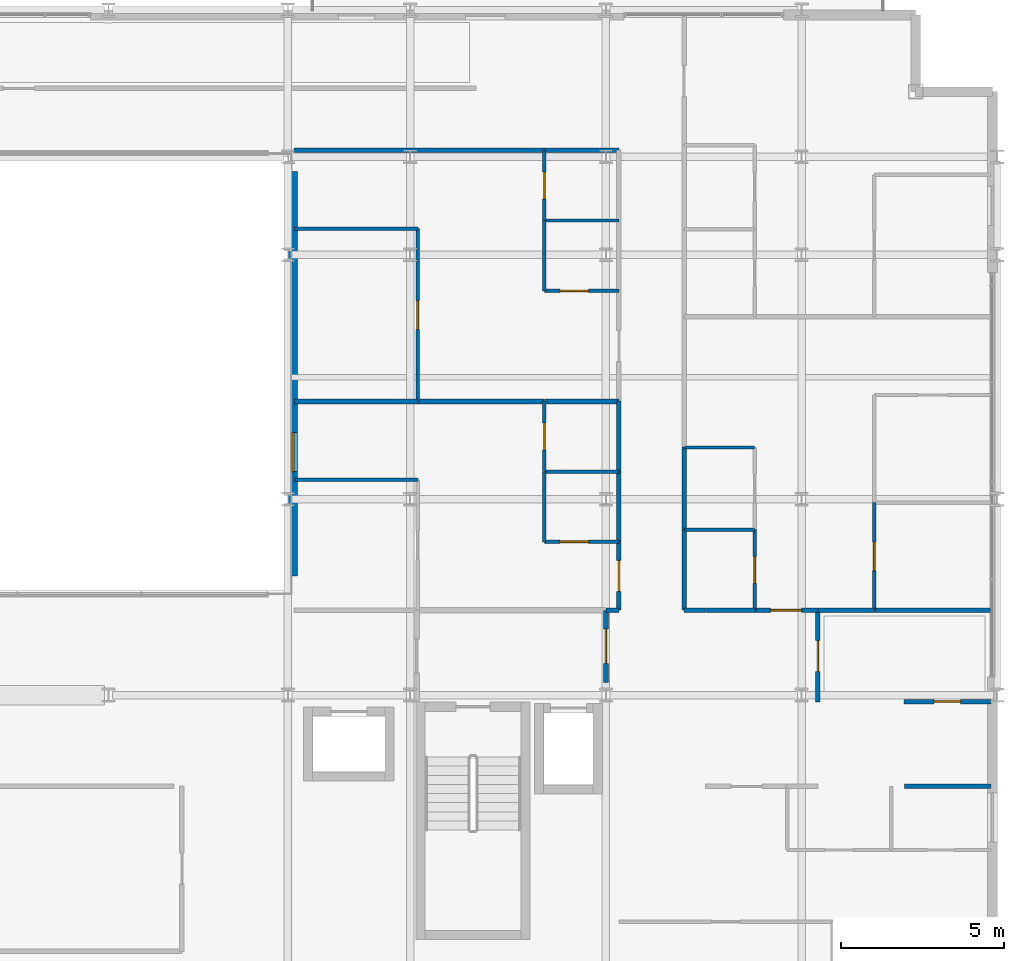
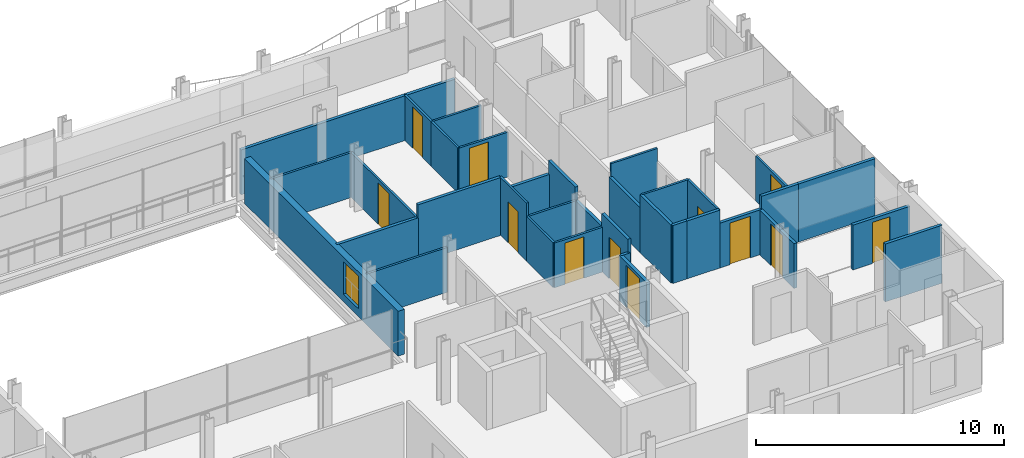
# One storey, part 35 of 40: 36 walls, 12 doors, 1 window, 13 openings.
"""IFC4 building model written with IfcOpenShell, lengths in metres."""

from ifc_helpers import new_model, si_unit, direction, frame, frame_2d, origin, place, context, subcontext, project, spatial, rectangle, extrude, material, layer, layer_set, type_object, element, fill, save


model = new_model("IFC4")

# Units and contexts
model_context = context("Model", 3, precision=1e-05, world=origin(), true_north=direction((0.0, 1.0)))
body_context = subcontext(model_context, "Body", "Model", "MODEL_VIEW")
ifc_project = project(units=[si_unit("LENGTHUNIT", "METRE"), si_unit("AREAUNIT", "SQUARE_METRE"), si_unit("VOLUMEUNIT", "CUBIC_METRE"), si_unit("PLANEANGLEUNIT", "RADIAN"), si_unit("MASSUNIT", "GRAM", prefix="KILO")], contexts=[model_context])

# Site, building, storey
site_placement = place(None, origin())
site = spatial("IfcSite", under=ifc_project, at=site_placement, CompositionType="ELEMENT")
building_placement = place(site_placement, origin())
building = spatial("IfcBuilding", under=site, at=building_placement, Name="Brevholm Reach", CompositionType="ELEMENT")
storey_placement = place(building_placement, frame((0.0, 0.0, 131.39990234375)))
storey = spatial("IfcBuildingStorey", under=building, at=storey_placement, Name="L39", CompositionType="ELEMENT", Elevation=131.39990234375)

# Wall, opening, window
ifc_material_1 = material(Name="Concrete C40/50", Category="concrete")
ifc_layer_1 = layer(ifc_material_1, 0.300048828125)
ifc_layer_set_1 = layer_set([ifc_layer_1], Name="Concrete C40/50")
wall_type_1 = type_object("IfcWallType", Name="WAL-EXT-300", PredefinedType="STANDARD", material=ifc_layer_set_1)
wall_1_placement = place(storey_placement, frame((38.39990234375, 13.64990234375, 0.0), z_axis=(0.0, 0.0, 1.0), x_axis=(0.0, 1.0, 0.0)))
wall_1 = element("IfcWall", 1, at=wall_1_placement, inside=storey, type_object=wall_type_1, Name="L39 Facade Wall WAL-L39-AT-E", PredefinedType="STANDARD", context=body_context, shape_type="SweptSolid", body=[
    extrude(rectangle(XDim=12.400146484375, YDim=0.300048828125, at=frame_2d((6.2001953125, 0.0))), origin(), (0.0, 0.0, 1.0), 2.204833984375),
])
opening_1_placement = place(wall_1_placement, frame((3.199951171875, 0.0, 0.385009765625)))
opening_1 = element("IfcOpeningElement", 2, at=opening_1_placement, cuts=wall_1, Name="Opening WN-08", PredefinedType="OPENING", context=body_context, shape_type="SweptSolid", body=[
    extrude(rectangle(XDim=1.199951171875, YDim=1.60009765625, at=frame_2d((0.60009765625, 0.800048828125))), frame((0.0, 0.159912109375, 0.0), z_axis=(0.0, -1.0, 0.0), x_axis=(1.0, 0.0, 0.0)), (0.0, 0.0, 1.0), 0.320068359375),
])
ifc_material_2 = material(Name="Dark Anodised Aluminium and Solar-Control IGU Glass", Category="aluminium")
window_type = type_object("IfcWindowType", Name="WIN-RES-1200", PartitioningType="SINGLE_PANEL", PredefinedType="WINDOW", material=ifc_material_2)
window_placement = place(opening_1_placement, origin())
window = element("IfcWindow", 3, at=window_placement, inside=storey, type_object=window_type, Name="L39 Window WIN-L39-AT-E1", OverallHeight=1.60009765625, OverallWidth=1.199951171875, PartitioningType="SINGLE_PANEL", PredefinedType="WINDOW", context=body_context, shape_type="SweptSolid", body=[
    extrude(rectangle(XDim=1.199951171875, YDim=1.60009765625, at=frame_2d((0.60009765625, 0.800048828125))), frame((0.0, 0.030029296875, 0.0), z_axis=(0.0, -1.0, 0.0), x_axis=(1.0, 0.0, 0.0)), (0.0, 0.0, 1.0), 0.06005859375),
])
fill(opening_1, window)

# Wall
ifc_material_3 = material(Name="Moisture-Resistant Acoustic Gypsum Stud Partition 100 mm", Category="gypsum")
ifc_layer_2 = layer(ifc_material_3, 0.10009765625)
ifc_layer_set_2 = layer_set([ifc_layer_2], Name="Moisture-Resistant Acoustic Gypsum Stud Partition 100 mm")
wall_type_2 = type_object("IfcWallType", Name="WAL-PRT-100", PredefinedType="PARTITIONING", material=ifc_layer_set_2)
wall_2_placement = place(storey_placement, frame((46.112060546875, 16.85009765625, 0.0), z_axis=(0.0, 0.0, 1.0), x_axis=(1.0, 0.0, 0.0)))
element("IfcWall", 4, at=wall_2_placement, inside=storey, type_object=wall_type_2, Name="L39 Internal Partition 124", PredefinedType="PARTITIONING", context=body_context, shape_type="SweptSolid", body=[
    extrude(rectangle(XDim=2.283935546875, YDim=0.10009765625, at=frame_2d((1.14208984375, 0.0))), origin(), (0.0, 0.0, 1.0), 2.204833984375),
])

# Wall, opening, door
wall_3_placement = place(storey_placement, frame((46.112060546875, 16.85009765625, 0.0), z_axis=(0.0, 0.0, 1.0), x_axis=(0.0, 1.0, 0.0)))
wall_3 = element("IfcWall", 5, at=wall_3_placement, inside=storey, type_object=wall_type_2, Name="L39 Internal Partition 125", PredefinedType="PARTITIONING", context=body_context, shape_type="SweptSolid", body=[
    extrude(rectangle(XDim=2.14990234375, YDim=0.10009765625, at=frame_2d((1.074951171875, 0.0))), origin(), (0.0, 0.0, 1.0), 2.85009765625),
])
opening_2_placement = place(wall_3_placement, frame((0.6650390625, 0.0, 0.0)))
opening_2 = element("IfcOpeningElement", 6, at=opening_2_placement, cuts=wall_3, Name="Opening ID-03", PredefinedType="OPENING", context=body_context, shape_type="SweptSolid", body=[
    extrude(rectangle(XDim=0.820068359375, YDim=2.02001953125, at=frame_2d((0.41015625, 1.010009765625))), frame((0.0, 0.06005859375, 0.0), z_axis=(0.0, -1.0, 0.0), x_axis=(1.0, 0.0, 0.0)), (0.0, 0.0, 1.0), 0.1201171875),
])
ifc_material_4 = material(Name="Moisture-Resistant Painted Timber Internal Bathroom Door", Category="wood")
door_type_1 = type_object("IfcDoorType", Name="DOR-BATH-820", OperationType="NOTDEFINED", PredefinedType="DOOR", material=ifc_material_4)
door_1_placement = place(opening_2_placement, origin())
door_1 = element("IfcDoor", 7, at=door_1_placement, inside=storey, type_object=door_type_1, Name="L39 Internal Door 048", OperationType="SINGLE_SWING_LEFT", OverallHeight=2.02001953125, OverallWidth=0.820068359375, PredefinedType="DOOR", context=body_context, shape_type="SweptSolid", body=[
    extrude(rectangle(XDim=0.820068359375, YDim=2.02001953125, at=frame_2d((0.41015625, 1.010009765625))), frame((0.0, 0.02490234375, 0.0), z_axis=(0.0, -1.0, 0.0), x_axis=(1.0, 0.0, 0.0)), (0.0, 0.0, 1.0), 0.050048828125),
])
fill(opening_2, door_1)

wall_4_placement = place(storey_placement, frame((46.112060546875, 14.699951171875, 0.0), z_axis=(0.0, 0.0, 1.0), x_axis=(1.0, 0.0, 0.0)))
wall_4 = element("IfcWall", 8, at=wall_4_placement, inside=storey, type_object=wall_type_2, Name="L39 Internal Partition 127", PredefinedType="PARTITIONING", context=body_context, shape_type="SweptSolid", body=[
    extrude(rectangle(XDim=2.283935546875, YDim=0.10009765625, at=frame_2d((1.14208984375, 0.0))), origin(), (0.0, 0.0, 1.0), 2.204833984375),
])
opening_3_placement = place(wall_4_placement, frame((0.48193359375, 0.0, 0.0)))
opening_3 = element("IfcOpeningElement", 9, at=opening_3_placement, cuts=wall_4, Name="Opening ID-01", PredefinedType="OPENING", context=body_context, shape_type="SweptSolid", body=[
    extrude(rectangle(XDim=0.8798828125, YDim=2.0400390625, at=frame_2d((0.43994140625, 1.02001953125))), frame((0.0, 0.06005859375, 0.0), z_axis=(0.0, -1.0, 0.0), x_axis=(1.0, 0.0, 0.0)), (0.0, 0.0, 1.0), 0.1201171875),
])
ifc_material_5 = material(Name="Lacquered Ash Solid-Core Acoustic Internal Door", Category="timber")
door_type_2 = type_object("IfcDoorType", Name="DOR-INT-880", OperationType="NOTDEFINED", PredefinedType="DOOR", material=ifc_material_5)
door_2_placement = place(opening_3_placement, origin())
door_2 = element("IfcDoor", 10, at=door_2_placement, inside=storey, type_object=door_type_2, Name="L39 Internal Door 049", OperationType="SINGLE_SWING_RIGHT", OverallHeight=2.0400390625, OverallWidth=0.8798828125, PredefinedType="DOOR", context=body_context, shape_type="SweptSolid", body=[
    extrude(rectangle(XDim=0.8798828125, YDim=2.0400390625, at=frame_2d((0.43994140625, 1.02001953125))), frame((0.0, 0.02490234375, 0.0), z_axis=(0.0, -1.0, 0.0), x_axis=(1.0, 0.0, 0.0)), (0.0, 0.0, 1.0), 0.050048828125),
])
fill(opening_3, door_2)

# Walls
wall_5_placement = place(storey_placement, frame((46.112060546875, 14.699951171875, 0.0), z_axis=(0.0, 0.0, 1.0), x_axis=(0.0, 1.0, 0.0)))
element("IfcWall", 11, at=wall_5_placement, inside=storey, type_object=wall_type_2, Name="L39 Internal Partition 128", PredefinedType="PARTITIONING", context=body_context, shape_type="SweptSolid", body=[
    extrude(rectangle(XDim=2.14599609375, YDim=0.10009765625, at=frame_2d((1.072998046875, 0.0))), origin(), (0.0, 0.0, 1.0), 2.204833984375),
])
wall_6_placement = place(storey_placement, frame((38.449951171875, 16.60009765625, 0.0), z_axis=(0.0, 0.0, 1.0), x_axis=(1.0, 0.0, 0.0)))
element("IfcWall", 12, at=wall_6_placement, inside=storey, type_object=wall_type_2, Name="L39 Internal Partition 130", PredefinedType="PARTITIONING", context=body_context, shape_type="SweptSolid", body=[
    extrude(rectangle(XDim=3.781005859375, YDim=0.10009765625, at=frame_2d((1.890625, 0.0))), origin(), (0.0, 0.0, 1.0), 2.204833984375),
])
wall_7_placement = place(storey_placement, frame((46.112060546875, 24.550048828125, 0.0), z_axis=(0.0, 0.0, 1.0), x_axis=(1.0, 0.0, 0.0)))
element("IfcWall", 13, at=wall_7_placement, inside=storey, type_object=wall_type_2, Name="L39 Internal Partition 133", PredefinedType="PARTITIONING", context=body_context, shape_type="SweptSolid", body=[
    extrude(rectangle(XDim=2.283935546875, YDim=0.10009765625, at=frame_2d((1.14208984375, 0.0))), origin(), (0.0, 0.0, 1.0), 2.204833984375),
])

# Wall, opening, door
wall_8_placement = place(storey_placement, frame((46.112060546875, 24.550048828125, 0.0), z_axis=(0.0, 0.0, 1.0), x_axis=(0.0, 1.0, 0.0)))
wall_8 = element("IfcWall", 14, at=wall_8_placement, inside=storey, type_object=wall_type_2, Name="L39 Internal Partition 134", PredefinedType="PARTITIONING", context=body_context, shape_type="SweptSolid", body=[
    extrude(rectangle(XDim=2.14599609375, YDim=0.10009765625, at=frame_2d((1.072998046875, 0.0))), origin(), (0.0, 0.0, 1.0), 2.204833984375),
])
opening_4_placement = place(wall_8_placement, frame((0.6630859375, 0.0, 0.0)))
opening_4 = element("IfcOpeningElement", 15, at=opening_4_placement, cuts=wall_8, Name="Opening ID-03", PredefinedType="OPENING", context=body_context, shape_type="SweptSolid", body=[
    extrude(rectangle(XDim=0.820068359375, YDim=2.02001953125, at=frame_2d((0.41015625, 1.010009765625))), frame((0.0, 0.06005859375, 0.0), z_axis=(0.0, -1.0, 0.0), x_axis=(1.0, 0.0, 0.0)), (0.0, 0.0, 1.0), 0.1201171875),
])
door_3_placement = place(opening_4_placement, origin())
door_3 = element("IfcDoor", 16, at=door_3_placement, inside=storey, type_object=door_type_1, Name="L39 Internal Door 051", OperationType="SINGLE_SWING_RIGHT", OverallHeight=2.02001953125, OverallWidth=0.820068359375, PredefinedType="DOOR", context=body_context, shape_type="SweptSolid", body=[
    extrude(rectangle(XDim=0.820068359375, YDim=2.02001953125, at=frame_2d((0.41015625, 1.010009765625))), frame((0.0, 0.02490234375, 0.0), z_axis=(0.0, -1.0, 0.0), x_axis=(1.0, 0.0, 0.0)), (0.0, 0.0, 1.0), 0.050048828125),
])
fill(opening_4, door_3)

wall_9_placement = place(storey_placement, frame((46.112060546875, 22.39404296875, 0.0), z_axis=(0.0, 0.0, 1.0), x_axis=(1.0, 0.0, 0.0)))
wall_9 = element("IfcWall", 17, at=wall_9_placement, inside=storey, type_object=wall_type_2, Name="L39 Internal Partition 135", PredefinedType="PARTITIONING", context=body_context, shape_type="SweptSolid", body=[
    extrude(rectangle(XDim=2.283935546875, YDim=0.10009765625, at=frame_2d((1.14208984375, 0.0))), origin(), (0.0, 0.0, 1.0), 2.204833984375),
])
opening_5_placement = place(wall_9_placement, frame((0.48193359375, 0.0, 0.0)))
opening_5 = element("IfcOpeningElement", 18, at=opening_5_placement, cuts=wall_9, Name="Opening ID-01", PredefinedType="OPENING", context=body_context, shape_type="SweptSolid", body=[
    extrude(rectangle(XDim=0.8798828125, YDim=2.0400390625, at=frame_2d((0.43994140625, 1.02001953125))), frame((0.0, 0.06005859375, 0.0), z_axis=(0.0, -1.0, 0.0), x_axis=(1.0, 0.0, 0.0)), (0.0, 0.0, 1.0), 0.1201171875),
])
door_4_placement = place(opening_5_placement, origin())
door_4 = element("IfcDoor", 19, at=door_4_placement, inside=storey, type_object=door_type_2, Name="L39 Internal Door 052", OperationType="SINGLE_SWING_LEFT", OverallHeight=2.0400390625, OverallWidth=0.8798828125, PredefinedType="DOOR", context=body_context, shape_type="SweptSolid", body=[
    extrude(rectangle(XDim=0.8798828125, YDim=2.0400390625, at=frame_2d((0.43994140625, 1.02001953125))), frame((0.0, 0.02490234375, 0.0), z_axis=(0.0, -1.0, 0.0), x_axis=(1.0, 0.0, 0.0)), (0.0, 0.0, 1.0), 0.050048828125),
])
fill(opening_5, door_4)

# Wall
wall_10_placement = place(storey_placement, frame((46.112060546875, 22.39404296875, 0.0), z_axis=(0.0, 0.0, 1.0), x_axis=(0.0, 1.0, 0.0)))
element("IfcWall", 20, at=wall_10_placement, inside=storey, type_object=wall_type_2, Name="L39 Internal Partition 136", PredefinedType="PARTITIONING", context=body_context, shape_type="SweptSolid", body=[
    extrude(rectangle(XDim=2.15185546875, YDim=0.10009765625, at=frame_2d((1.075927734375, 0.0))), origin(), (0.0, 0.0, 1.0), 2.204833984375),
])

# Wall, opening, door
wall_11_placement = place(storey_placement, frame((42.23095703125, 19.00390625, 0.0), z_axis=(0.0, 0.0, 1.0), x_axis=(0.0, 1.0, 0.0)))
wall_11 = element("IfcWall", 21, at=wall_11_placement, inside=storey, type_object=wall_type_2, Name="L39 Internal Partition 137", PredefinedType="PARTITIONING", context=body_context, shape_type="SweptSolid", body=[
    extrude(rectangle(XDim=5.296142578125, YDim=0.10009765625, at=frame_2d((2.64794921875, 0.0))), origin(), (0.0, 0.0, 1.0), 2.204833984375),
])
opening_6_placement = place(wall_11_placement, frame((2.2080078125, 0.0, 0.0)))
opening_6 = element("IfcOpeningElement", 22, at=opening_6_placement, cuts=wall_11, Name="Opening ID-01", PredefinedType="OPENING", context=body_context, shape_type="SweptSolid", body=[
    extrude(rectangle(XDim=0.8798828125, YDim=2.0400390625, at=frame_2d((0.43994140625, 1.02001953125))), frame((0.0, 0.06005859375, 0.0), z_axis=(0.0, -1.0, 0.0), x_axis=(1.0, 0.0, 0.0)), (0.0, 0.0, 1.0), 0.1201171875),
])
door_5_placement = place(opening_6_placement, origin())
door_5 = element("IfcDoor", 23, at=door_5_placement, inside=storey, type_object=door_type_2, Name="L39 Internal Door 053", OperationType="SINGLE_SWING_RIGHT", OverallHeight=2.0400390625, OverallWidth=0.8798828125, PredefinedType="DOOR", context=body_context, shape_type="SweptSolid", body=[
    extrude(rectangle(XDim=0.8798828125, YDim=2.0400390625, at=frame_2d((0.43994140625, 1.02001953125))), frame((0.0, 0.02490234375, 0.0), z_axis=(0.0, -1.0, 0.0), x_axis=(1.0, 0.0, 0.0)), (0.0, 0.0, 1.0), 0.050048828125),
])
fill(opening_6, door_5)

# Walls
wall_12_placement = place(storey_placement, frame((38.449951171875, 24.300048828125, 0.0), z_axis=(0.0, 0.0, 1.0), x_axis=(1.0, 0.0, 0.0)))
element("IfcWall", 24, at=wall_12_placement, inside=storey, type_object=wall_type_2, Name="L39 Internal Partition 138", PredefinedType="PARTITIONING", context=body_context, shape_type="SweptSolid", body=[
    extrude(rectangle(XDim=3.781005859375, YDim=0.10009765625, at=frame_2d((1.890625, 0.0))), origin(), (0.0, 0.0, 1.0), 2.204833984375),
])
wall_13_placement = place(storey_placement, frame((50.404052734375, 15.070068359375, 0.0), z_axis=(0.0, 0.0, 1.0), x_axis=(1.0, 0.0, 0.0)))
element("IfcWall", 25, at=wall_13_placement, inside=storey, type_object=wall_type_2, Name="L39 Internal Partition 139", PredefinedType="PARTITIONING", context=body_context, shape_type="SweptSolid", body=[
    extrude(rectangle(XDim=2.157958984375, YDim=0.10009765625, at=frame_2d((1.0791015625, 0.0))), origin(), (0.0, 0.0, 1.0), 2.85009765625),
])

# Wall, opening, door
wall_14_placement = place(storey_placement, frame((52.56201171875, 12.60400390625, 0.0), z_axis=(0.0, 0.0, 1.0), x_axis=(0.0, 1.0, 0.0)))
wall_14 = element("IfcWall", 26, at=wall_14_placement, inside=storey, type_object=wall_type_2, Name="L39 Internal Partition 140", PredefinedType="PARTITIONING", context=body_context, shape_type="SweptSolid", body=[
    extrude(rectangle(XDim=2.466064453125, YDim=0.10009765625, at=frame_2d((1.23291015625, 0.0))), origin(), (0.0, 0.0, 1.0), 2.85009765625),
])
opening_7_placement = place(wall_14_placement, frame((0.822998046875, 0.0, 0.0)))
opening_7 = element("IfcOpeningElement", 27, at=opening_7_placement, cuts=wall_14, Name="Opening ID-03", PredefinedType="OPENING", context=body_context, shape_type="SweptSolid", body=[
    extrude(rectangle(XDim=0.820068359375, YDim=2.02001953125, at=frame_2d((0.41015625, 1.010009765625))), frame((0.0, 0.06005859375, 0.0), z_axis=(0.0, -1.0, 0.0), x_axis=(1.0, 0.0, 0.0)), (0.0, 0.0, 1.0), 0.1201171875),
])
door_6_placement = place(opening_7_placement, origin())
door_6 = element("IfcDoor", 28, at=door_6_placement, inside=storey, type_object=door_type_1, Name="L39 Internal Door 054", OperationType="SINGLE_SWING_LEFT", OverallHeight=2.02001953125, OverallWidth=0.820068359375, PredefinedType="DOOR", context=body_context, shape_type="SweptSolid", body=[
    extrude(rectangle(XDim=0.820068359375, YDim=2.02001953125, at=frame_2d((0.41015625, 1.010009765625))), frame((0.0, 0.02490234375, 0.0), z_axis=(0.0, -1.0, 0.0), x_axis=(1.0, 0.0, 0.0)), (0.0, 0.0, 1.0), 0.050048828125),
])
fill(opening_7, door_6)

# Wall
wall_15_placement = place(storey_placement, frame((50.404052734375, 17.590087890625, 0.0), z_axis=(0.0, 0.0, 1.0), x_axis=(1.0, 0.0, 0.0)))
element("IfcWall", 29, at=wall_15_placement, inside=storey, type_object=wall_type_2, Name="L39 Internal Partition 142", PredefinedType="PARTITIONING", context=body_context, shape_type="SweptSolid", body=[
    extrude(rectangle(XDim=2.157958984375, YDim=0.10009765625, at=frame_2d((1.0791015625, 0.0))), origin(), (0.0, 0.0, 1.0), 2.85009765625),
])

# Wall, opening, door
wall_16_placement = place(storey_placement, frame((56.22802734375, 12.60400390625, 0.0), z_axis=(0.0, 0.0, 1.0), x_axis=(0.0, 1.0, 0.0)))
wall_16 = element("IfcWall", 30, at=wall_16_placement, inside=storey, type_object=wall_type_2, Name="L39 Internal Partition 144", PredefinedType="PARTITIONING", context=body_context, shape_type="SweptSolid", body=[
    extrude(rectangle(XDim=3.2958984375, YDim=0.10009765625, at=frame_2d((1.64794921875, 0.0))), origin(), (0.0, 0.0, 1.0), 2.204833984375),
])
opening_8_placement = place(wall_16_placement, frame((1.2080078125, 0.0, 0.0)))
opening_8 = element("IfcOpeningElement", 31, at=opening_8_placement, cuts=wall_16, Name="Opening ID-01", PredefinedType="OPENING", context=body_context, shape_type="SweptSolid", body=[
    extrude(rectangle(XDim=0.8798828125, YDim=2.0400390625, at=frame_2d((0.43994140625, 1.02001953125))), frame((0.0, 0.06005859375, 0.0), z_axis=(0.0, -1.0, 0.0), x_axis=(1.0, 0.0, 0.0)), (0.0, 0.0, 1.0), 0.1201171875),
])
door_7_placement = place(opening_8_placement, origin())
door_7 = element("IfcDoor", 32, at=door_7_placement, inside=storey, type_object=door_type_2, Name="L39 Internal Door 056", OperationType="SINGLE_SWING_LEFT", OverallHeight=2.0400390625, OverallWidth=0.8798828125, PredefinedType="DOOR", context=body_context, shape_type="SweptSolid", body=[
    extrude(rectangle(XDim=0.8798828125, YDim=2.0400390625, at=frame_2d((0.43994140625, 1.02001953125))), frame((0.0, 0.02490234375, 0.0), z_axis=(0.0, -1.0, 0.0), x_axis=(1.0, 0.0, 0.0)), (0.0, 0.0, 1.0), 0.050048828125),
])
fill(opening_8, door_7)

ifc_material_6 = material(Name="Twin-Stud Acoustic Fire-Rated Gypsum Partition 140 mm", Category="gypsum")
ifc_layer_3 = layer(ifc_material_6, 0.139892578125)
ifc_layer_set_3 = layer_set([ifc_layer_3], Name="Twin-Stud Acoustic Fire-Rated Gypsum Partition 140 mm")
wall_type_3 = type_object("IfcWallType", Name="WAL-PRT-140", PredefinedType="PARTITIONING", material=ifc_layer_set_3)
wall_17_placement = place(storey_placement, frame((54.5, 9.788818359375, 0.0), z_axis=(0.0, 0.0, 1.0), x_axis=(0.0, 1.0, 0.0)))
wall_17 = element("IfcWall", 33, at=wall_17_placement, inside=storey, type_object=wall_type_3, Name="L39 Internal Partition 013", PredefinedType="PARTITIONING", context=body_context, shape_type="SweptSolid", body=[
    extrude(rectangle(XDim=2.811279296875, YDim=0.139892578125, at=frame_2d((1.40576171875, 0.0))), origin(), (0.0, 0.0, 1.0), 2.204833984375),
])
opening_9_placement = place(wall_17_placement, frame((0.9306640625, 0.0, 0.0)))
opening_9 = element("IfcOpeningElement", 34, at=opening_9_placement, cuts=wall_17, Name="Opening ID-30", PredefinedType="OPENING", context=body_context, shape_type="SweptSolid", body=[
    extrude(rectangle(XDim=0.949951171875, YDim=2.050048828125, at=frame_2d((0.47509765625, 1.02490234375))), frame((0.0, 0.079833984375, 0.0), z_axis=(0.0, -1.0, 0.0), x_axis=(1.0, 0.0, 0.0)), (0.0, 0.0, 1.0), 0.159912109375),
])
ifc_material_7 = material(Name="European Oak Veneered Solid-Core Fire Entrance Door", Category="timber")
door_type_3 = type_object("IfcDoorType", Name="DOR-FLT-FD30S", OperationType="NOTDEFINED", PredefinedType="DOOR", material=ifc_material_7)
door_8_placement = place(opening_9_placement, origin())
door_8 = element("IfcDoor", 35, at=door_8_placement, inside=storey, type_object=door_type_3, Name="L39 Internal Door 008", OperationType="SINGLE_SWING_LEFT", OverallHeight=2.050048828125, OverallWidth=0.949951171875, PredefinedType="DOOR", context=body_context, shape_type="SweptSolid", body=[
    extrude(rectangle(XDim=0.949951171875, YDim=2.050048828125, at=frame_2d((0.47509765625, 1.02490234375))), frame((0.0, 0.02490234375, 0.0), z_axis=(0.0, -1.0, 0.0), x_axis=(1.0, 0.0, 0.0)), (0.0, 0.0, 1.0), 0.050048828125),
])
fill(opening_9, door_8)

# Wall
wall_18_placement = place(storey_placement, frame((51.050048828125, 12.60009765625, 0.0), z_axis=(0.0, 0.0, 1.0), x_axis=(1.0, 0.0, 0.0)))
element("IfcWall", 36, at=wall_18_placement, inside=storey, type_object=wall_type_3, Name="L39 Internal Partition 016", PredefinedType="PARTITIONING", context=body_context, shape_type="SweptSolid", body=[
    extrude(rectangle(XDim=1.523193359375, YDim=0.139892578125, at=frame_2d((0.76171875, 0.0))), origin(), (0.0, 0.0, 1.0), 2.85009765625),
])

# Wall, opening, door
wall_19_placement = place(storey_placement, frame((52.5546875, 12.60009765625, 0.0), z_axis=(0.0, 0.0, 1.0), x_axis=(1.0, 0.0, 0.0)))
wall_19 = element("IfcWall", 37, at=wall_19_placement, inside=storey, type_object=wall_type_3, Name="L39 Internal Partition 017", PredefinedType="PARTITIONING", context=body_context, shape_type="SweptSolid", body=[
    extrude(rectangle(XDim=1.9453125, YDim=0.139892578125, at=frame_2d((0.97265625, 0.0))), origin(), (0.0, 0.0, 1.0), 2.204833984375),
])
opening_10_placement = place(wall_19_placement, frame((0.497802734375, 0.0, 0.0)))
opening_10 = element("IfcOpeningElement", 38, at=opening_10_placement, cuts=wall_19, Name="Opening ID-30", PredefinedType="OPENING", context=body_context, shape_type="SweptSolid", body=[
    extrude(rectangle(XDim=0.949951171875, YDim=2.050048828125, at=frame_2d((0.47509765625, 1.02490234375))), frame((0.0, 0.079833984375, 0.0), z_axis=(0.0, -1.0, 0.0), x_axis=(1.0, 0.0, 0.0)), (0.0, 0.0, 1.0), 0.159912109375),
])
door_9_placement = place(opening_10_placement, origin())
door_9 = element("IfcDoor", 39, at=door_9_placement, inside=storey, type_object=door_type_3, Name="L39 Internal Door 010", OperationType="SINGLE_SWING_LEFT", OverallHeight=2.050048828125, OverallWidth=0.949951171875, PredefinedType="DOOR", context=body_context, shape_type="SweptSolid", body=[
    extrude(rectangle(XDim=0.949951171875, YDim=2.050048828125, at=frame_2d((0.47509765625, 1.02490234375))), frame((0.0, 0.02490234375, 0.0), z_axis=(0.0, -1.0, 0.0), x_axis=(1.0, 0.0, 0.0)), (0.0, 0.0, 1.0), 0.050048828125),
])
fill(opening_10, door_9)

# Walls
wall_20_placement = place(storey_placement, frame((48.00390625, 12.60009765625, 0.0), z_axis=(0.0, 0.0, 1.0), x_axis=(1.0, 0.0, 0.0)))
element("IfcWall", 40, at=wall_20_placement, inside=storey, type_object=wall_type_3, Name="L39 Internal Partition 033", PredefinedType="PARTITIONING", context=body_context, shape_type="SweptSolid", body=[
    extrude(rectangle(XDim=0.4033203125, YDim=0.139892578125, at=frame_2d((0.20166015625, 0.0))), origin(), (0.0, 0.0, 1.0), 2.204833984375),
])
wall_21_placement = place(storey_placement, frame((50.392578125, 12.60009765625, 0.0), z_axis=(0.0, 0.0, 1.0), x_axis=(1.0, 0.0, 0.0)))
element("IfcWall", 41, at=wall_21_placement, inside=storey, type_object=wall_type_3, Name="L39 Internal Partition 034", PredefinedType="PARTITIONING", context=body_context, shape_type="SweptSolid", body=[
    extrude(rectangle(XDim=0.6533203125, YDim=0.139892578125, at=frame_2d((0.32666015625, 0.0))), origin(), (0.0, 0.0, 1.0), 2.85009765625),
])
wall_22_placement = place(storey_placement, frame((48.39990234375, 16.838623046875, 0.0), z_axis=(0.0, 0.0, 1.0), x_axis=(0.0, 1.0, 0.0)))
element("IfcWall", 42, at=wall_22_placement, inside=storey, type_object=wall_type_3, Name="L39 Internal Partition 047", PredefinedType="PARTITIONING", context=body_context, shape_type="SweptSolid", body=[
    extrude(rectangle(XDim=2.172607421875, YDim=0.139892578125, at=frame_2d((1.08642578125, 0.0))), origin(), (0.0, 0.0, 1.0), 2.85009765625),
])
wall_23_placement = place(storey_placement, frame((48.39990234375, 14.688720703125, 0.0), z_axis=(0.0, 0.0, 1.0), x_axis=(0.0, 1.0, 0.0)))
element("IfcWall", 43, at=wall_23_placement, inside=storey, type_object=wall_type_3, Name="L39 Internal Partition 048", PredefinedType="PARTITIONING", context=body_context, shape_type="SweptSolid", body=[
    extrude(rectangle(XDim=2.168701171875, YDim=0.139892578125, at=frame_2d((1.08447265625, 0.0))), origin(), (0.0, 0.0, 1.0), 2.204833984375),
])

# Wall, opening, door
wall_24_placement = place(storey_placement, frame((48.39990234375, 12.60400390625, 0.0), z_axis=(0.0, 0.0, 1.0), x_axis=(0.0, 1.0, 0.0)))
wall_24 = element("IfcWall", 44, at=wall_24_placement, inside=storey, type_object=wall_type_3, Name="L39 Internal Partition 049", PredefinedType="PARTITIONING", context=body_context, shape_type="SweptSolid", body=[
    extrude(rectangle(XDim=2.103271484375, YDim=0.139892578125, at=frame_2d((1.0517578125, 0.0))), origin(), (0.0, 0.0, 1.0), 2.85009765625),
])
opening_11_placement = place(wall_24_placement, frame((0.57666015625, 0.0, 0.0)))
opening_11 = element("IfcOpeningElement", 45, at=opening_11_placement, cuts=wall_24, Name="Opening ID-30", PredefinedType="OPENING", context=body_context, shape_type="SweptSolid", body=[
    extrude(rectangle(XDim=0.949951171875, YDim=2.050048828125, at=frame_2d((0.47509765625, 1.02490234375))), frame((0.0, 0.079833984375, 0.0), z_axis=(0.0, -1.0, 0.0), x_axis=(1.0, 0.0, 0.0)), (0.0, 0.0, 1.0), 0.159912109375),
])
door_10_placement = place(opening_11_placement, origin())
door_10 = element("IfcDoor", 46, at=door_10_placement, inside=storey, type_object=door_type_3, Name="L39 Internal Door 020", OperationType="SINGLE_SWING_LEFT", OverallHeight=2.050048828125, OverallWidth=0.949951171875, PredefinedType="DOOR", context=body_context, shape_type="SweptSolid", body=[
    extrude(rectangle(XDim=0.949951171875, YDim=2.050048828125, at=frame_2d((0.47509765625, 1.02490234375))), frame((0.0, 0.02490234375, 0.0), z_axis=(0.0, -1.0, 0.0), x_axis=(1.0, 0.0, 0.0)), (0.0, 0.0, 1.0), 0.050048828125),
])
fill(opening_11, door_10)

# Walls
wall_25_placement = place(storey_placement, frame((50.39990234375, 12.60400390625, 0.0), z_axis=(0.0, 0.0, 1.0), x_axis=(0.0, 1.0, 0.0)))
element("IfcWall", 47, at=wall_25_placement, inside=storey, type_object=wall_type_3, Name="L39 Internal Partition 053", PredefinedType="PARTITIONING", context=body_context, shape_type="SweptSolid", body=[
    extrude(rectangle(XDim=2.477294921875, YDim=0.139892578125, at=frame_2d((1.23876953125, 0.0))), origin(), (0.0, 0.0, 1.0), 2.85009765625),
])
wall_26_placement = place(storey_placement, frame((50.39990234375, 15.062744140625, 0.0), z_axis=(0.0, 0.0, 1.0), x_axis=(0.0, 1.0, 0.0)))
element("IfcWall", 48, at=wall_26_placement, inside=storey, type_object=wall_type_3, Name="L39 Internal Partition 054", PredefinedType="PARTITIONING", context=body_context, shape_type="SweptSolid", body=[
    extrude(rectangle(XDim=2.53857421875, YDim=0.139892578125, at=frame_2d((1.269287109375, 0.0))), origin(), (0.0, 0.0, 1.0), 2.204833984375),
])
wall_27_placement = place(storey_placement, frame((46.1005859375, 26.699951171875, 0.0), z_axis=(0.0, 0.0, 1.0), x_axis=(1.0, 0.0, 0.0)))
element("IfcWall", 49, at=wall_27_placement, inside=storey, type_object=wall_type_3, Name="L39 Internal Partition 060", PredefinedType="PARTITIONING", context=body_context, shape_type="SweptSolid", body=[
    extrude(rectangle(XDim=2.29541015625, YDim=0.139892578125, at=frame_2d((1.147705078125, 0.0))), origin(), (0.0, 0.0, 1.0), 2.204833984375),
])
wall_28_placement = place(storey_placement, frame((38.438720703125, 26.699951171875, 0.0), z_axis=(0.0, 0.0, 1.0), x_axis=(1.0, 0.0, 0.0)))
element("IfcWall", 50, at=wall_28_placement, inside=storey, type_object=wall_type_3, Name="L39 Internal Partition 061", PredefinedType="PARTITIONING", context=body_context, shape_type="SweptSolid", body=[
    extrude(rectangle(XDim=7.6806640625, YDim=0.139892578125, at=frame_2d((3.84033203125, 0.0))), origin(), (0.0, 0.0, 1.0), 2.204833984375),
])

# Wall, opening, door
wall_29_placement = place(storey_placement, frame((57.138671875, 9.800048828125, 0.0), z_axis=(0.0, 0.0, 1.0), x_axis=(1.0, 0.0, 0.0)))
wall_29 = element("IfcWall", 51, at=wall_29_placement, inside=storey, type_object=wall_type_3, Name="L39 Internal Partition 078", PredefinedType="PARTITIONING", context=body_context, shape_type="SweptSolid", body=[
    extrude(rectangle(XDim=2.661376953125, YDim=0.139892578125, at=frame_2d((1.33056640625, 0.0))), origin(), (0.0, 0.0, 1.0), 2.204833984375),
])
opening_12_placement = place(wall_29_placement, frame((0.920654296875, 0.0, 0.0)))
opening_12 = element("IfcOpeningElement", 52, at=opening_12_placement, cuts=wall_29, Name="Opening ID-02", PredefinedType="OPENING", context=body_context, shape_type="SweptSolid", body=[
    extrude(rectangle(XDim=0.820068359375, YDim=2.02001953125, at=frame_2d((0.41015625, 1.010009765625))), frame((0.0, 0.079833984375, 0.0), z_axis=(0.0, -1.0, 0.0), x_axis=(1.0, 0.0, 0.0)), (0.0, 0.0, 1.0), 0.159912109375),
])
ifc_material_8 = material(Name="Moisture-Resistant Painted Timber Fire-Rated Riser and Service Door", Category="wood")
door_type_4 = type_object("IfcDoorType", Name="DOR-SRV-820", OperationType="NOTDEFINED", PredefinedType="DOOR", material=ifc_material_8)
door_11_placement = place(opening_12_placement, origin())
door_11 = element("IfcDoor", 53, at=door_11_placement, inside=storey, type_object=door_type_4, Name="L39 Access Door 061", OperationType="SINGLE_SWING_RIGHT", OverallHeight=2.02001953125, OverallWidth=0.820068359375, PredefinedType="DOOR", context=body_context, shape_type="SweptSolid", body=[
    extrude(rectangle(XDim=0.820068359375, YDim=2.02001953125, at=frame_2d((0.41015625, 1.010009765625))), frame((0.0, 0.02490234375, 0.0), z_axis=(0.0, -1.0, 0.0), x_axis=(1.0, 0.0, 0.0)), (0.0, 0.0, 1.0), 0.050048828125),
])
fill(opening_12, door_11)

# Walls
wall_30_placement = place(storey_placement, frame((56.216796875, 12.60009765625, 0.0), z_axis=(0.0, 0.0, 1.0), x_axis=(1.0, 0.0, 0.0)))
element("IfcWall", 54, at=wall_30_placement, inside=storey, type_object=wall_type_3, Name="L39 Internal Partition 079", PredefinedType="PARTITIONING", context=body_context, shape_type="SweptSolid", body=[
    extrude(rectangle(XDim=3.583251953125, YDim=0.139892578125, at=frame_2d((1.79150390625, 0.0))), origin(), (0.0, 0.0, 1.0), 2.85009765625),
])
wall_31_placement = place(storey_placement, frame((54.50390625, 12.60009765625, 0.0), z_axis=(0.0, 0.0, 1.0), x_axis=(1.0, 0.0, 0.0)))
element("IfcWall", 55, at=wall_31_placement, inside=storey, type_object=wall_type_3, Name="L39 Internal Partition 080", PredefinedType="PARTITIONING", context=body_context, shape_type="SweptSolid", body=[
    extrude(rectangle(XDim=1.7314453125, YDim=0.139892578125, at=frame_2d((0.86572265625, 0.0))), origin(), (0.0, 0.0, 1.0), 2.85009765625),
])
wall_32_placement = place(storey_placement, frame((57.14990234375, 7.199951171875, 0.0), z_axis=(0.0, 0.0, 1.0), x_axis=(1.0, 0.0, 0.0)))
element("IfcWall", 56, at=wall_32_placement, inside=storey, type_object=wall_type_3, Name="L39 Internal Partition 081", PredefinedType="PARTITIONING", context=body_context, shape_type="SweptSolid", body=[
    extrude(rectangle(XDim=2.650146484375, YDim=0.139892578125, at=frame_2d((1.3251953125, 0.0))), origin(), (0.0, 0.0, 1.0), 2.85009765625),
])
wall_33_placement = place(storey_placement, frame((46.112060546875, 19.0, 0.0), z_axis=(0.0, 0.0, 1.0), x_axis=(1.0, 0.0, 0.0)))
element("IfcWall", 57, at=wall_33_placement, inside=storey, type_object=wall_type_3, Name="L39 Internal Partition 126", PredefinedType="PARTITIONING", context=body_context, shape_type="SweptSolid", body=[
    extrude(rectangle(XDim=2.283935546875, YDim=0.139892578125, at=frame_2d((1.14208984375, 0.0))), origin(), (0.0, 0.0, 1.0), 2.204833984375),
])
wall_34_placement = place(storey_placement, frame((38.449951171875, 19.0, 0.0), z_axis=(0.0, 0.0, 1.0), x_axis=(1.0, 0.0, 0.0)))
element("IfcWall", 58, at=wall_34_placement, inside=storey, type_object=wall_type_3, Name="L39 Internal Partition 131", PredefinedType="PARTITIONING", context=body_context, shape_type="SweptSolid", body=[
    extrude(rectangle(XDim=3.792236328125, YDim=0.139892578125, at=frame_2d((1.89599609375, 0.0))), origin(), (0.0, 0.0, 1.0), 2.204833984375),
])
wall_35_placement = place(storey_placement, frame((42.2236328125, 19.0, 0.0), z_axis=(0.0, 0.0, 1.0), x_axis=(1.0, 0.0, 0.0)))
element("IfcWall", 59, at=wall_35_placement, inside=storey, type_object=wall_type_3, Name="L39 Internal Partition 132", PredefinedType="PARTITIONING", context=body_context, shape_type="SweptSolid", body=[
    extrude(rectangle(XDim=3.88427734375, YDim=0.139892578125, at=frame_2d((1.942138671875, 0.0))), origin(), (0.0, 0.0, 1.0), 2.85009765625),
])

# Wall, opening, door
ifc_material_9 = material(Name="Twin-Frame Fire-Rated Gypsum Board and Mineral Wool 160 mm", Category="gypsum")
ifc_layer_4 = layer(ifc_material_9, 0.159912109375)
ifc_layer_set_4 = layer_set([ifc_layer_4], Name="Twin-Frame Fire-Rated Gypsum Board and Mineral Wool 160 mm")
wall_type_4 = type_object("IfcWallType", Name="WAL-PRT-160", PredefinedType="PARTITIONING", material=ifc_layer_set_4)
wall_36_placement = place(storey_placement, frame((48.0, 10.388671875, 0.0), z_axis=(0.0, 0.0, 1.0), x_axis=(0.0, 1.0, 0.0)))
wall_36 = element("IfcWall", 60, at=wall_36_placement, inside=storey, type_object=wall_type_4, Name="L39 Internal Partition 025", PredefinedType="PARTITIONING", context=body_context, shape_type="SweptSolid", body=[
    extrude(rectangle(XDim=2.21142578125, YDim=0.159912109375, at=frame_2d((1.105712890625, 0.0))), origin(), (0.0, 0.0, 1.0), 2.204833984375),
])
opening_13_placement = place(wall_36_placement, frame((0.58056640625, 0.0, 0.0)))
opening_13 = element("IfcOpeningElement", 61, at=opening_13_placement, cuts=wall_36, Name="Opening FD-01", PredefinedType="OPENING", context=body_context, shape_type="SweptSolid", body=[
    extrude(rectangle(XDim=1.050048828125, YDim=2.06005859375, at=frame_2d((0.52490234375, 1.030029296875))), frame((0.0, 0.08984375, 0.0), z_axis=(0.0, -1.0, 0.0), x_axis=(1.0, 0.0, 0.0)), (0.0, 0.0, 1.0), 0.179931640625),
])
ifc_material_10 = material(Name="Hardwood-Lipped Steel-Core Fire and Smoke Door", Category="steel")
door_type_5 = type_object("IfcDoorType", Name="DOR-INT-FD60S", OperationType="NOTDEFINED", PredefinedType="DOOR", material=ifc_material_10)
door_12_placement = place(opening_13_placement, origin())
door_12 = element("IfcDoor", 62, at=door_12_placement, inside=storey, type_object=door_type_5, Name="L39 Internal Door 014", OperationType="SINGLE_SWING_LEFT", OverallHeight=2.06005859375, OverallWidth=1.050048828125, PredefinedType="DOOR", context=body_context, shape_type="SweptSolid", body=[
    extrude(rectangle(XDim=1.050048828125, YDim=2.06005859375, at=frame_2d((0.52490234375, 1.030029296875))), frame((0.0, 0.02490234375, 0.0), z_axis=(0.0, -1.0, 0.0), x_axis=(1.0, 0.0, 0.0)), (0.0, 0.0, 1.0), 0.050048828125),
])
fill(opening_13, door_12)

save(model, "model.ifc")
